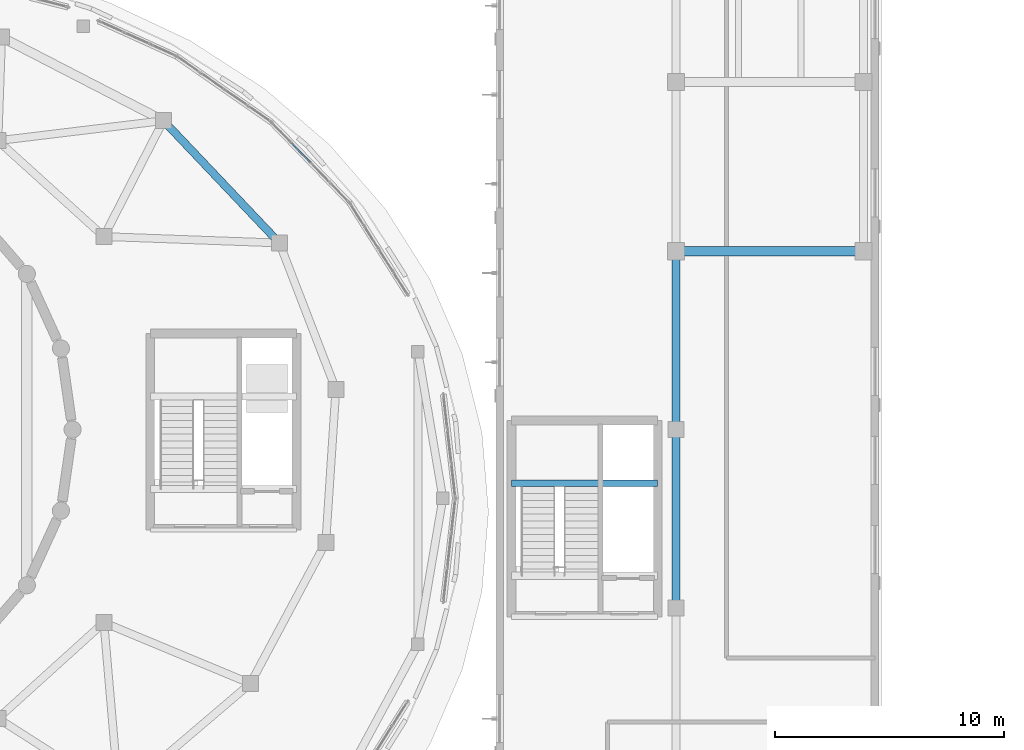
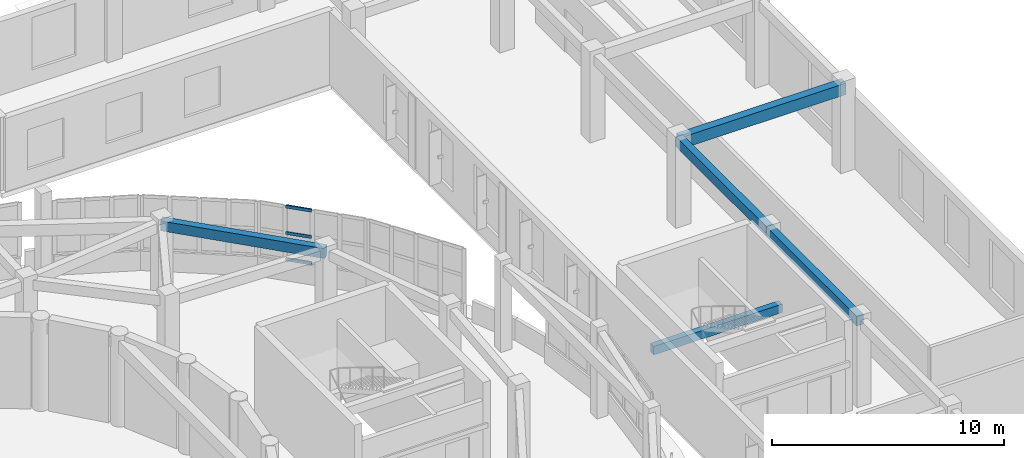
# One storey, part 53 of 98: 5 beams, 3 members, 1 element without a shape of its own.
"""IFC4 building model written with IfcOpenShell, lengths in metres."""

from ifc_helpers import new_model, si_unit, direction, frame, origin, origin_2d, place, context, subcontext, project, spatial, rectangle, hollow_rectangle, extrude, material, layer, layer_set, material_profile, profile_set, type_object, element, aggregate, save


model = new_model("IFC4")

# Units and contexts
model_context = context("Model", 3, precision=1e-05, world=origin(), true_north=direction((0.0, 1.0)))
body_context = subcontext(model_context, "Body", "Model", "MODEL_VIEW")
ifc_project = project(units=[si_unit("LENGTHUNIT", "METRE"), si_unit("AREAUNIT", "SQUARE_METRE"), si_unit("VOLUMEUNIT", "CUBIC_METRE"), si_unit("PLANEANGLEUNIT", "RADIAN"), si_unit("MASSUNIT", "GRAM", prefix="KILO")], contexts=[model_context])

# Site, building, storey
site_placement = place(None, origin())
site = spatial("IfcSite", under=ifc_project, at=site_placement, CompositionType="ELEMENT")
building_placement = place(site_placement, origin())
building = spatial("IfcBuilding", under=site, at=building_placement, Name="Pelvatis Terrace Science Centre", CompositionType="ELEMENT")
storey_placement = place(building_placement, frame((0.0, 0.0, 5.39990234375)))
storey = spatial("IfcBuildingStorey", under=building, at=storey_placement, Name="L01", CompositionType="ELEMENT", Elevation=5.39990234375)

# Beams
ifc_material_1 = material(Name="Concrete C35/45", Category="concrete")
ifc_material_profile_1 = material_profile(ifc_material_1, rectangle(XDim=0.300048828125, YDim=0.449951171875, at=origin_2d()), Name="RC-BM 300x450")
ifc_profile_set_1 = profile_set([ifc_material_profile_1], Name="Concrete C35/45")
beam_type_1 = type_object("IfcBeamType", Name="BM-RC-300x450", PredefinedType="BEAM", material=ifc_profile_set_1)
beam_1_placement = place(storey_placement, frame((141.0, 83.449951171875, 1.97509765625), z_axis=(1.0, 0.0, 0.0), x_axis=(0.0, 1.0, 0.0)))
element("IfcBeam", 1, at=beam_1_placement, inside=storey, type_object=beam_type_1, Name="Core C3 half-landing beam (L01)", PredefinedType="BEAM", context=body_context, shape_type="SweptSolid", body=[
    extrude(rectangle(XDim=0.300048828125, YDim=0.449951171875, at=origin_2d()), origin(), (0.0, 0.0, 1.0), 6.39990234375),
])
ifc_material_2 = material(Name="Concrete C35/45", Category="concrete")
ifc_material_profile_2 = material_profile(ifc_material_2, rectangle(XDim=0.340087890625, YDim=0.52001953125, at=origin_2d()), Name="RC-BM 340x520")
ifc_profile_set_2 = profile_set([ifc_material_profile_2], Name="Concrete C35/45")
beam_type_2 = type_object("IfcBeamType", Name="BM-RC-340x520", PredefinedType="BEAM", material=ifc_profile_set_2)
beam_2_placement = place(storey_placement, frame((130.8515625, 93.9619140625, 4.280029296875), z_axis=(-0.688268468455, 0.725456074019, 0.0), x_axis=(-0.725456074019, -0.688268468455, 0.0)))
element("IfcBeam", 2, at=beam_2_placement, inside=storey, type_object=beam_type_2, Name="Beam BM-L01-2623", PredefinedType="BEAM", context=body_context, shape_type="SweptSolid", body=[
    extrude(rectangle(XDim=0.340087890625, YDim=0.52001953125, at=origin_2d()), origin(), (0.0, 0.0, 1.0), 7.379150390625),
])
for number, where, z_axis, x_axis, name in (
    (3, (148.199951171875, 78.0, 4.280029296875), (0.0, 1.0, 0.0), (-1.0, 0.0, 0.0), "Beam BM-L01-2821"),
    (4, (148.199951171875, 85.800048828125, 4.280029296875), (0.0, 1.0, 0.0), (-1.0, 0.0, 0.0), "Beam BM-L01-2822"),
):
    element("IfcBeam", number, at=place(storey_placement, frame(where, z_axis=z_axis, x_axis=x_axis)), inside=storey, type_object=beam_type_2, Name=name, PredefinedType="BEAM", context=body_context, shape_type="SweptSolid", body=[
        extrude(rectangle(XDim=0.340087890625, YDim=0.52001953125, at=origin_2d()), origin(), (0.0, 0.0, 1.0), 7.800048828125),
    ])
ifc_material_3 = material(Name="Concrete C35/45", Category="concrete")
ifc_material_profile_3 = material_profile(ifc_material_3, rectangle(XDim=0.39990234375, YDim=0.60009765625, at=origin_2d()), Name="RC-BM 400x600")
ifc_profile_set_3 = profile_set([ifc_material_profile_3], Name="Concrete C35/45")
beam_type_3 = type_object("IfcBeamType", Name="BM-RC-400x600", PredefinedType="BEAM", material=ifc_profile_set_3)
beam_3_placement = place(storey_placement, frame((148.199951171875, 93.60009765625, 4.239990234375), z_axis=(1.0, 0.0, 0.0), x_axis=(0.0, 1.0, 0.0)))
element("IfcBeam", 5, at=beam_3_placement, inside=storey, type_object=beam_type_3, Name="Beam BM-L01-2824", PredefinedType="BEAM", context=body_context, shape_type="SweptSolid", body=[
    extrude(rectangle(XDim=0.39990234375, YDim=0.60009765625, at=origin_2d()), origin(), (0.0, 0.0, 1.0), 8.199951171875),
])

# Curtain wall, members
ifc_material_4 = material(Name="Bronze-anodised aluminium and laminated glass", Category="aluminium")
ifc_layer = layer(ifc_material_4, 0.199951171875)
ifc_layer_set = layer_set([ifc_layer], Name="Bronze-anodised aluminium and laminated glass")
curtain_wall_type = type_object("IfcCurtainWallType", Name="CW-RIBBON-B", PredefinedType="NOTDEFINED", material=ifc_layer_set)
curtain_wall_placement = place(storey_placement, origin())
curtain_wall = element("IfcCurtainWall", 6, at=curtain_wall_placement, inside=storey, type_object=curtain_wall_type, Name="Ribbon curtain wall CW-128 (L01)", PredefinedType="NOTDEFINED")
ifc_material_5 = material(Name="Bronze-anodised aluminium 6063-T6", Category="aluminium")
ifc_material_profile_4 = material_profile(ifc_material_5, hollow_rectangle(XDim=0.06494140625, YDim=0.159912109375, WallThickness=0.00390625, at=origin_2d()), Name="ALU-TRN 65x160")
ifc_profile_set_4 = profile_set([ifc_material_profile_4], Name="Bronze-anodised aluminium 6063-T6")
member_type = type_object("IfcMemberType", Name="CWT-65x160", PredefinedType="USERDEFINED", material=ifc_profile_set_4)
member_1_placement = place(storey_placement, frame((132.1943359375, 97.501953125, 1.052490234375), z_axis=(-0.695876551506, 0.718161419922, 0.0), x_axis=(-0.718161419922, -0.695876551506, 0.0)))
member_1 = element("IfcMember", 7, at=member_1_placement, type_object=member_type, Name="CW-128 transom 3.1", ObjectType="TRANSOM", PredefinedType="USERDEFINED", context=body_context, shape_type="SweptSolid", body=[
    extrude(hollow_rectangle(XDim=0.06494140625, YDim=0.159912109375, WallThickness=0.00390625, at=origin_2d()), origin(), (0.0, 0.0, 1.0), 1.161376953125),
])
member_2_placement = place(storey_placement, frame((132.1943359375, 97.501953125, 2.440185546875), z_axis=(-0.695876551506, 0.718161419922, 0.0), x_axis=(-0.718161419922, -0.695876551506, 0.0)))
member_2 = element("IfcMember", 8, at=member_2_placement, type_object=member_type, Name="CW-128 transom 3.2", ObjectType="TRANSOM", PredefinedType="USERDEFINED", context=body_context, shape_type="SweptSolid", body=[
    extrude(hollow_rectangle(XDim=0.06494140625, YDim=0.159912109375, WallThickness=0.00390625, at=origin_2d()), origin(), (0.0, 0.0, 1.0), 1.161376953125),
])
member_3_placement = place(storey_placement, frame((132.1943359375, 97.501953125, 3.82763671875), z_axis=(-0.695876551506, 0.718161419922, 0.0), x_axis=(-0.718161419922, -0.695876551506, 0.0)))
member_3 = element("IfcMember", 9, at=member_3_placement, type_object=member_type, Name="CW-128 transom 3.3", ObjectType="TRANSOM", PredefinedType="USERDEFINED", context=body_context, shape_type="SweptSolid", body=[
    extrude(hollow_rectangle(XDim=0.06494140625, YDim=0.159912109375, WallThickness=0.00390625, at=origin_2d()), origin(), (0.0, 0.0, 1.0), 1.161376953125),
])
aggregate(curtain_wall, [member_1, member_2, member_3])

save(model, "model.ifc")
